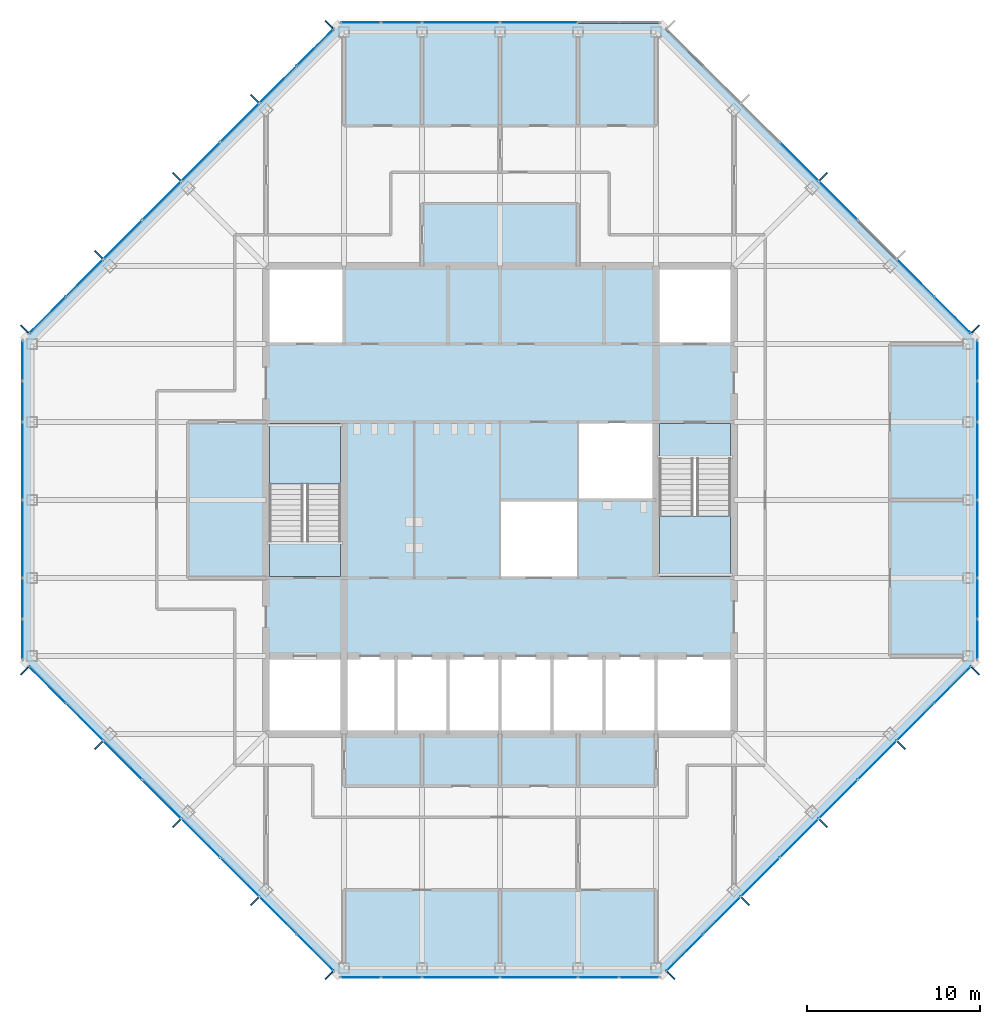
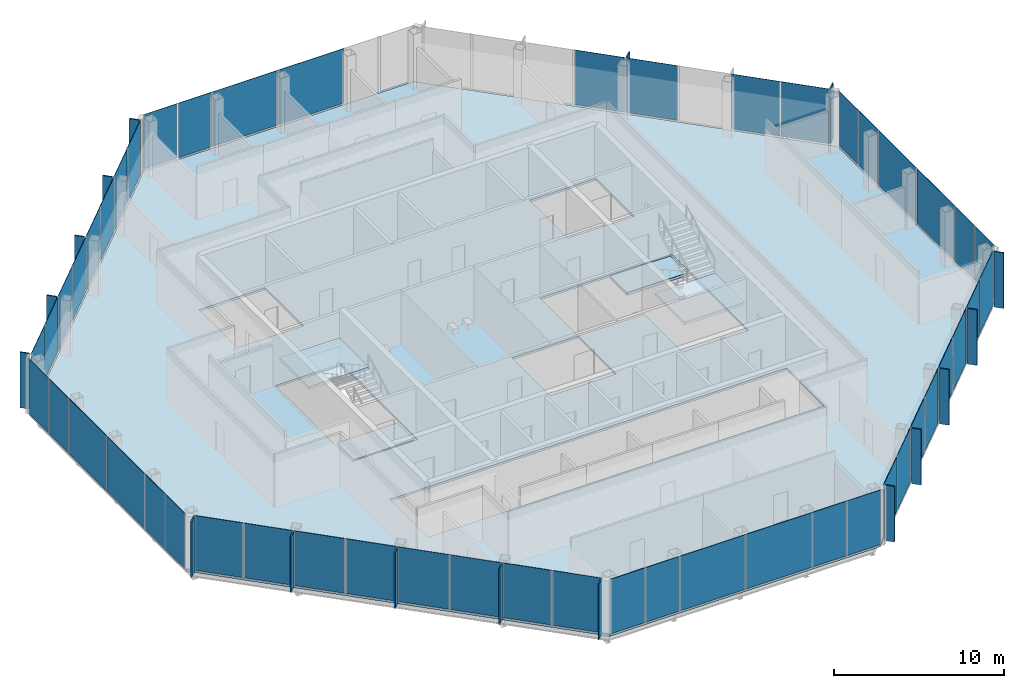
# One storey, part 8 of 14: 67 plates, 5 slabs, 10 elements without a shape of their own.
"""IFC4 building model written with IfcOpenShell, lengths in metres."""

from ifc_helpers import new_model, si_unit, direction, frame, origin, origin_2d, place, context, subcontext, project, spatial, polyline, rectangle, outline, extrude, material, layer, layer_set, type_object, element, aggregate, save


model = new_model("IFC4")

# Units and contexts
model_context = context("Model", 3, precision=1e-05, world=origin(), true_north=direction((0.0, 1.0)))
body_context = subcontext(model_context, "Body", "Model", "MODEL_VIEW")
ifc_project = project(units=[si_unit("LENGTHUNIT", "METRE"), si_unit("AREAUNIT", "SQUARE_METRE"), si_unit("VOLUMEUNIT", "CUBIC_METRE"), si_unit("PLANEANGLEUNIT", "RADIAN"), si_unit("MASSUNIT", "GRAM", prefix="KILO")], contexts=[model_context])

# Site, building, storey
site_placement = place(None, origin())
site = spatial("IfcSite", under=ifc_project, at=site_placement, CompositionType="ELEMENT")
building_placement = place(site_placement, origin())
building = spatial("IfcBuilding", under=site, at=building_placement, Name="Corais Broadcast Tower", CompositionType="ELEMENT")
storey_placement = place(building_placement, frame((0.0, 0.0, 278.60009765625)))
storey = spatial("IfcBuildingStorey", under=building, at=storey_placement, Name="L65", CompositionType="ELEMENT", Elevation=278.60009765625)

# Slab
ifc_material_1 = material(Name="Concrete C30/37", Category="concrete")
ifc_layer_1 = layer(ifc_material_1, 0.159912109375)
ifc_layer_set_1 = layer_set([ifc_layer_1], Name="Concrete C30/37")
slab_type_1 = type_object("IfcSlabType", Name="Composite floor slab 160", PredefinedType="FLOOR", material=ifc_layer_set_1)
slab_1_placement = place(storey_placement, frame((0.0, 0.0, -0.16015625)))
element("IfcSlab", 1, at=slab_1_placement, inside=storey, type_object=slab_type_1, Name="S160 floor slab L65", PredefinedType="FLOOR", context=body_context, shape_type="SweptSolid", body=[
    extrude(outline(polyline([(17.80126953125, -0.47998046875), (-0.47998046875, 17.80126953125), (-0.47998046875, 36.19873046875), (17.80126953125, 54.47998046875), (36.19873046875, 54.47998046875), (54.47998046875, 36.19873046875), (54.47998046875, 17.80126953125), (36.19873046875, -0.47998046875), (17.80126953125, -0.47998046875)]), holes=[polyline([(13.5, 18.0), (40.5, 18.0), (40.5, 13.5), (13.5, 13.5), (13.5, 18.0)]), polyline([(18.0, 22.5), (13.5, 22.5), (13.5, 31.5), (18.0, 31.5), (18.0, 22.5)]), polyline([(18.0, 36.0), (13.5, 36.0), (13.5, 40.5), (18.0, 40.5), (18.0, 36.0)]), polyline([(31.5, 22.5), (27.0, 22.5), (27.0, 27.0), (31.4951171875, 27.0), (31.4951171875, 27.0048828125), (31.5, 27.0048828125), (31.5, 31.5), (40.5, 31.5), (40.5, 22.5), (36.0, 22.5), (36.0, 27.0), (31.5048828125, 27.0), (31.5048828125, 26.9951171875), (31.5, 26.9951171875), (31.5, 22.5)]), polyline([(40.5, 36.0), (36.0, 36.0), (36.0, 40.5), (40.5, 40.5), (40.5, 36.0)])]), origin(), (0.0, 0.0, 1.0), 0.16015625),
])

# Curtain wall, plates
ifc_material_2 = material(Name="Aluminium and glass", Category="aluminium")
curtain_wall_type = type_object("IfcCurtainWallType", Name="Unitised fritted curtain wall CW3", PredefinedType="NOTDEFINED", material=ifc_material_2)
curtain_wall_1_placement = place(storey_placement, origin())
curtain_wall_1 = element("IfcCurtainWall", 2, at=curtain_wall_1_placement, inside=storey, type_object=curtain_wall_type, Name="CW3 curtain wall L65 1", PredefinedType="NOTDEFINED")
ifc_material_3 = material(Name="Ceramic-fritted laminated glass", Category="glass")
ifc_layer_2 = layer(ifc_material_3, 0.02587890625)
ifc_layer_set_2 = layer_set([ifc_layer_2], Name="Ceramic-fritted laminated glass")
plate_type_1 = type_object("IfcPlateType", Name="Fritted glass panel CW3", PredefinedType="CURTAIN_PANEL", material=ifc_layer_set_2)
plate_1_placement = place(storey_placement, frame((16.330322265625, 0.891845703125, 0.06494140625), z_axis=(0.0, 0.0, 1.0), x_axis=(-0.707106781187, 0.707106781187, 0.0)))
plate_1 = element("IfcPlate", 3, at=plate_1_placement, type_object=plate_type_1, Name="CW3 panel 1", PredefinedType="CURTAIN_PANEL", context=body_context, shape_type="SweptSolid", body=[
    extrude(rectangle(XDim=2.9482421875, YDim=0.02587890625, at=origin_2d()), origin(), (0.0, 0.0, 1.0), 3.93505859375),
])
plate_2_placement = place(storey_placement, frame((11.986083984375, 5.236083984375, 0.06494140625), z_axis=(0.0, 0.0, 1.0), x_axis=(-0.707106781187, 0.707106781187, 0.0)))
plate_2 = element("IfcPlate", 4, at=plate_2_placement, type_object=plate_type_1, Name="CW3 panel 3", PredefinedType="CURTAIN_PANEL", context=body_context, shape_type="SweptSolid", body=[
    extrude(rectangle(XDim=3.116943359375, YDim=0.02587890625, at=origin_2d()), origin(), (0.0, 0.0, 1.0), 3.93505859375),
])
plate_3_placement = place(storey_placement, frame((7.486083984375, 9.736083984375, 0.06494140625), z_axis=(0.0, 0.0, 1.0), x_axis=(-0.707106781187, 0.707106781187, 0.0)))
plate_3 = element("IfcPlate", 5, at=plate_3_placement, type_object=plate_type_1, Name="CW3 panel 5", PredefinedType="CURTAIN_PANEL", context=body_context, shape_type="SweptSolid", body=[
    extrude(rectangle(XDim=3.116943359375, YDim=0.02587890625, at=origin_2d()), origin(), (0.0, 0.0, 1.0), 3.93505859375),
])
plate_4_placement = place(storey_placement, frame((3.0341796875, 14.18798828125, 0.06494140625), z_axis=(0.0, 0.0, 1.0), x_axis=(-0.707106781187, 0.707106781187, 0.0)))
plate_4 = element("IfcPlate", 6, at=plate_4_placement, type_object=plate_type_1, Name="CW3 panel 7", PredefinedType="CURTAIN_PANEL", context=body_context, shape_type="SweptSolid", body=[
    extrude(rectangle(XDim=2.98095703125, YDim=0.02587890625, at=origin_2d()), origin(), (0.0, 0.0, 1.0), 3.93505859375),
])

curtain_wall_2_placement = place(storey_placement, origin())
curtain_wall_2 = element("IfcCurtainWall", 7, at=curtain_wall_2_placement, inside=storey, type_object=curtain_wall_type, Name="CW3 curtain wall L65 2", PredefinedType="NOTDEFINED")
plate_5_placement = place(storey_placement, frame((-0.550048828125, 18.970458984375, 0.06494140625), z_axis=(0.0, 0.0, 1.0), x_axis=(0.0, 1.0, 0.0)))
plate_5 = element("IfcPlate", 8, at=plate_5_placement, type_object=plate_type_1, Name="CW3 panel 1", PredefinedType="CURTAIN_PANEL", context=body_context, shape_type="SweptSolid", body=[
    extrude(rectangle(XDim=2.266357421875, YDim=0.02587890625, at=origin_2d()), origin(), (0.0, 0.0, 1.0), 3.93505859375),
])
plate_6_placement = place(storey_placement, frame((-0.550048828125, 24.75, 0.06494140625), z_axis=(0.0, 0.0, 1.0), x_axis=(0.0, 1.0, 0.0)))
plate_6 = element("IfcPlate", 9, at=plate_6_placement, type_object=plate_type_1, Name="CW3 panel 3", PredefinedType="CURTAIN_PANEL", context=body_context, shape_type="SweptSolid", body=[
    extrude(rectangle(XDim=4.43505859375, YDim=0.02587890625, at=origin_2d()), origin(), (0.0, 0.0, 1.0), 3.93505859375),
])
plate_7_placement = place(storey_placement, frame((-0.550048828125, 32.681884765625, 0.06494140625), z_axis=(0.0, 0.0, 1.0), x_axis=(0.0, 1.0, 0.0)))
plate_7 = element("IfcPlate", 10, at=plate_7_placement, type_object=plate_type_1, Name="CW3 panel 5", PredefinedType="CURTAIN_PANEL", context=body_context, shape_type="SweptSolid", body=[
    extrude(rectangle(XDim=2.298828125, YDim=0.02587890625, at=origin_2d()), origin(), (0.0, 0.0, 1.0), 3.93505859375),
])

curtain_wall_3_placement = place(storey_placement, origin())
curtain_wall_3 = element("IfcCurtainWall", 11, at=curtain_wall_3_placement, inside=storey, type_object=curtain_wall_type, Name="CW3 curtain wall L65 3", PredefinedType="NOTDEFINED")
plate_8_placement = place(storey_placement, frame((0.891845703125, 37.669677734375, 0.06494140625), z_axis=(0.0, 0.0, 1.0), x_axis=(0.707106781187, 0.707106781187, 0.0)))
plate_8 = element("IfcPlate", 12, at=plate_8_placement, type_object=plate_type_1, Name="CW3 panel 1", PredefinedType="CURTAIN_PANEL", context=body_context, shape_type="SweptSolid", body=[
    extrude(rectangle(XDim=2.9482421875, YDim=0.02587890625, at=origin_2d()), origin(), (0.0, 0.0, 1.0), 3.93505859375),
])
plate_9_placement = place(storey_placement, frame((5.236083984375, 42.013916015625, 0.06494140625), z_axis=(0.0, 0.0, 1.0), x_axis=(0.707106781187, 0.707106781187, 0.0)))
plate_9 = element("IfcPlate", 13, at=plate_9_placement, type_object=plate_type_1, Name="CW3 panel 3", PredefinedType="CURTAIN_PANEL", context=body_context, shape_type="SweptSolid", body=[
    extrude(rectangle(XDim=3.116943359375, YDim=0.02587890625, at=origin_2d()), origin(), (0.0, 0.0, 1.0), 3.93505859375),
])
plate_10_placement = place(storey_placement, frame((9.736083984375, 46.513916015625, 0.06494140625), z_axis=(0.0, 0.0, 1.0), x_axis=(0.707106781187, 0.707106781187, 0.0)))
plate_10 = element("IfcPlate", 14, at=plate_10_placement, type_object=plate_type_1, Name="CW3 panel 5", PredefinedType="CURTAIN_PANEL", context=body_context, shape_type="SweptSolid", body=[
    extrude(rectangle(XDim=3.116943359375, YDim=0.02587890625, at=origin_2d()), origin(), (0.0, 0.0, 1.0), 3.93505859375),
])
plate_11_placement = place(storey_placement, frame((14.18798828125, 50.9658203125, 0.06494140625), z_axis=(0.0, 0.0, 1.0), x_axis=(0.707106781187, 0.707106781187, 0.0)))
plate_11 = element("IfcPlate", 15, at=plate_11_placement, type_object=plate_type_1, Name="CW3 panel 7", PredefinedType="CURTAIN_PANEL", context=body_context, shape_type="SweptSolid", body=[
    extrude(rectangle(XDim=2.98095703125, YDim=0.02587890625, at=origin_2d()), origin(), (0.0, 0.0, 1.0), 3.93505859375),
])

curtain_wall_4_placement = place(storey_placement, origin())
curtain_wall_4 = element("IfcCurtainWall", 16, at=curtain_wall_4_placement, inside=storey, type_object=curtain_wall_type, Name="CW3 curtain wall L65 4", PredefinedType="NOTDEFINED")
plate_12_placement = place(storey_placement, frame((18.970458984375, 54.550048828125, 0.06494140625), z_axis=(0.0, 0.0, 1.0), x_axis=(1.0, 0.0, 0.0)))
plate_12 = element("IfcPlate", 17, at=plate_12_placement, type_object=plate_type_1, Name="CW3 panel 1", PredefinedType="CURTAIN_PANEL", context=body_context, shape_type="SweptSolid", body=[
    extrude(rectangle(XDim=2.266357421875, YDim=0.02587890625, at=origin_2d()), origin(), (0.0, 0.0, 1.0), 3.93505859375),
])
plate_13_placement = place(storey_placement, frame((24.75, 54.550048828125, 0.06494140625), z_axis=(0.0, 0.0, 1.0), x_axis=(1.0, 0.0, 0.0)))
plate_13 = element("IfcPlate", 18, at=plate_13_placement, type_object=plate_type_1, Name="CW3 panel 3", PredefinedType="CURTAIN_PANEL", context=body_context, shape_type="SweptSolid", body=[
    extrude(rectangle(XDim=4.43505859375, YDim=0.02587890625, at=origin_2d()), origin(), (0.0, 0.0, 1.0), 3.93505859375),
])

curtain_wall_5_placement = place(storey_placement, origin())
curtain_wall_5 = element("IfcCurtainWall", 19, at=curtain_wall_5_placement, inside=storey, type_object=curtain_wall_type, Name="CW3 curtain wall L65 5", PredefinedType="NOTDEFINED")
plate_14_placement = place(storey_placement, frame((46.513916015625, 44.263916015625, 0.06494140625), z_axis=(0.0, 0.0, 1.0), x_axis=(0.707106781187, -0.707106781187, 0.0)))
plate_14 = element("IfcPlate", 20, at=plate_14_placement, type_object=plate_type_1, Name="CW3 panel 5", PredefinedType="CURTAIN_PANEL", context=body_context, shape_type="SweptSolid", body=[
    extrude(rectangle(XDim=3.116943359375, YDim=0.02587890625, at=origin_2d()), origin(), (0.0, 0.0, 1.0), 3.93505859375),
])
plate_15_placement = place(storey_placement, frame((50.9658203125, 39.81201171875, 0.06494140625), z_axis=(0.0, 0.0, 1.0), x_axis=(0.707106781187, -0.707106781187, 0.0)))
plate_15 = element("IfcPlate", 21, at=plate_15_placement, type_object=plate_type_1, Name="CW3 panel 7", PredefinedType="CURTAIN_PANEL", context=body_context, shape_type="SweptSolid", body=[
    extrude(rectangle(XDim=2.98095703125, YDim=0.02587890625, at=origin_2d()), origin(), (0.0, 0.0, 1.0), 3.93505859375),
])

curtain_wall_6_placement = place(storey_placement, origin())
curtain_wall_6 = element("IfcCurtainWall", 22, at=curtain_wall_6_placement, inside=storey, type_object=curtain_wall_type, Name="CW3 curtain wall L65 6", PredefinedType="NOTDEFINED")
plate_16_placement = place(storey_placement, frame((54.550048828125, 35.029541015625, 0.06494140625), z_axis=(0.0, 0.0, 1.0), x_axis=(0.0, -1.0, 0.0)))
plate_16 = element("IfcPlate", 23, at=plate_16_placement, type_object=plate_type_1, Name="CW3 panel 1", PredefinedType="CURTAIN_PANEL", context=body_context, shape_type="SweptSolid", body=[
    extrude(rectangle(XDim=2.266357421875, YDim=0.02587890625, at=origin_2d()), origin(), (0.0, 0.0, 1.0), 3.93505859375),
])
plate_17_placement = place(storey_placement, frame((54.550048828125, 29.25, 0.06494140625), z_axis=(0.0, 0.0, 1.0), x_axis=(0.0, -1.0, 0.0)))
plate_17 = element("IfcPlate", 24, at=plate_17_placement, type_object=plate_type_1, Name="CW3 panel 3", PredefinedType="CURTAIN_PANEL", context=body_context, shape_type="SweptSolid", body=[
    extrude(rectangle(XDim=4.43505859375, YDim=0.02587890625, at=origin_2d()), origin(), (0.0, 0.0, 1.0), 3.93505859375),
])
plate_18_placement = place(storey_placement, frame((54.550048828125, 21.318115234375, 0.06494140625), z_axis=(0.0, 0.0, 1.0), x_axis=(0.0, -1.0, 0.0)))
plate_18 = element("IfcPlate", 25, at=plate_18_placement, type_object=plate_type_1, Name="CW3 panel 5", PredefinedType="CURTAIN_PANEL", context=body_context, shape_type="SweptSolid", body=[
    extrude(rectangle(XDim=2.298828125, YDim=0.02587890625, at=origin_2d()), origin(), (0.0, 0.0, 1.0), 3.93505859375),
])

curtain_wall_7_placement = place(storey_placement, origin())
curtain_wall_7 = element("IfcCurtainWall", 26, at=curtain_wall_7_placement, inside=storey, type_object=curtain_wall_type, Name="CW3 curtain wall L65 7", PredefinedType="NOTDEFINED")
plate_19_placement = place(storey_placement, frame((53.108154296875, 16.330322265625, 0.06494140625), z_axis=(0.0, 0.0, 1.0), x_axis=(-0.707106781187, -0.707106781187, 0.0)))
plate_19 = element("IfcPlate", 27, at=plate_19_placement, type_object=plate_type_1, Name="CW3 panel 1", PredefinedType="CURTAIN_PANEL", context=body_context, shape_type="SweptSolid", body=[
    extrude(rectangle(XDim=2.9482421875, YDim=0.02587890625, at=origin_2d()), origin(), (0.0, 0.0, 1.0), 3.93505859375),
])
plate_20_placement = place(storey_placement, frame((48.763916015625, 11.986083984375, 0.06494140625), z_axis=(0.0, 0.0, 1.0), x_axis=(-0.707106781187, -0.707106781187, 0.0)))
plate_20 = element("IfcPlate", 28, at=plate_20_placement, type_object=plate_type_1, Name="CW3 panel 3", PredefinedType="CURTAIN_PANEL", context=body_context, shape_type="SweptSolid", body=[
    extrude(rectangle(XDim=3.116943359375, YDim=0.02587890625, at=origin_2d()), origin(), (0.0, 0.0, 1.0), 3.93505859375),
])
plate_21_placement = place(storey_placement, frame((44.263916015625, 7.486083984375, 0.06494140625), z_axis=(0.0, 0.0, 1.0), x_axis=(-0.707106781187, -0.707106781187, 0.0)))
plate_21 = element("IfcPlate", 29, at=plate_21_placement, type_object=plate_type_1, Name="CW3 panel 5", PredefinedType="CURTAIN_PANEL", context=body_context, shape_type="SweptSolid", body=[
    extrude(rectangle(XDim=3.116943359375, YDim=0.02587890625, at=origin_2d()), origin(), (0.0, 0.0, 1.0), 3.93505859375),
])
plate_22_placement = place(storey_placement, frame((39.81201171875, 3.0341796875, 0.06494140625), z_axis=(0.0, 0.0, 1.0), x_axis=(-0.707106781187, -0.707106781187, 0.0)))
plate_22 = element("IfcPlate", 30, at=plate_22_placement, type_object=plate_type_1, Name="CW3 panel 7", PredefinedType="CURTAIN_PANEL", context=body_context, shape_type="SweptSolid", body=[
    extrude(rectangle(XDim=2.98095703125, YDim=0.02587890625, at=origin_2d()), origin(), (0.0, 0.0, 1.0), 3.93505859375),
])

curtain_wall_8_placement = place(storey_placement, origin())
curtain_wall_8 = element("IfcCurtainWall", 31, at=curtain_wall_8_placement, inside=storey, type_object=curtain_wall_type, Name="CW3 curtain wall L65 8", PredefinedType="NOTDEFINED")
plate_23_placement = place(storey_placement, frame((35.029541015625, -0.550048828125, 0.06494140625), z_axis=(0.0, 0.0, 1.0), x_axis=(-1.0, 0.0, 0.0)))
plate_23 = element("IfcPlate", 32, at=plate_23_placement, type_object=plate_type_1, Name="CW3 panel 1", PredefinedType="CURTAIN_PANEL", context=body_context, shape_type="SweptSolid", body=[
    extrude(rectangle(XDim=2.266357421875, YDim=0.02587890625, at=origin_2d()), origin(), (0.0, 0.0, 1.0), 3.93505859375),
])
plate_24_placement = place(storey_placement, frame((29.25, -0.550048828125, 0.06494140625), z_axis=(0.0, 0.0, 1.0), x_axis=(-1.0, 0.0, 0.0)))
plate_24 = element("IfcPlate", 33, at=plate_24_placement, type_object=plate_type_1, Name="CW3 panel 3", PredefinedType="CURTAIN_PANEL", context=body_context, shape_type="SweptSolid", body=[
    extrude(rectangle(XDim=4.43505859375, YDim=0.02587890625, at=origin_2d()), origin(), (0.0, 0.0, 1.0), 3.93505859375),
])
plate_25_placement = place(storey_placement, frame((21.318115234375, -0.550048828125, 0.06494140625), z_axis=(0.0, 0.0, 1.0), x_axis=(-1.0, 0.0, 0.0)))
plate_25 = element("IfcPlate", 34, at=plate_25_placement, type_object=plate_type_1, Name="CW3 panel 5", PredefinedType="CURTAIN_PANEL", context=body_context, shape_type="SweptSolid", body=[
    extrude(rectangle(XDim=2.298828125, YDim=0.02587890625, at=origin_2d()), origin(), (0.0, 0.0, 1.0), 3.93505859375),
])

# Plate
ifc_material_4 = material(Name="Clear laminated glass", Category="glass")
ifc_layer_3 = layer(ifc_material_4, 0.030029296875)
ifc_layer_set_3 = layer_set([ifc_layer_3], Name="Clear laminated glass")
plate_type_2 = type_object("IfcPlateType", Name="Operable glass panel CW3", PredefinedType="CURTAIN_PANEL", material=ifc_layer_set_3)
plate_26_placement = place(storey_placement, frame((14.18798828125, 3.0341796875, 0.06494140625), z_axis=(0.0, 0.0, 1.0), x_axis=(-0.707106781187, 0.707106781187, 0.0)))
plate_26 = element("IfcPlate", 35, at=plate_26_placement, type_object=plate_type_2, Name="CW3 operable panel 2", PredefinedType="CURTAIN_PANEL", context=body_context, shape_type="SweptSolid", body=[
    extrude(rectangle(XDim=2.98095703125, YDim=0.030029296875, at=origin_2d()), origin(), (0.0, 0.0, 1.0), 3.93505859375),
])

plate_27_placement = place(storey_placement, frame((9.736083984375, 7.486083984375, 0.06494140625), z_axis=(0.0, 0.0, 1.0), x_axis=(-0.707106781187, 0.707106781187, 0.0)))
plate_27 = element("IfcPlate", 36, at=plate_27_placement, type_object=plate_type_2, Name="CW3 operable panel 4", PredefinedType="CURTAIN_PANEL", context=body_context, shape_type="SweptSolid", body=[
    extrude(rectangle(XDim=3.116943359375, YDim=0.030029296875, at=origin_2d()), origin(), (0.0, 0.0, 1.0), 3.93505859375),
])

plate_28_placement = place(storey_placement, frame((5.236083984375, 11.986083984375, 0.06494140625), z_axis=(0.0, 0.0, 1.0), x_axis=(-0.707106781187, 0.707106781187, 0.0)))
plate_28 = element("IfcPlate", 37, at=plate_28_placement, type_object=plate_type_2, Name="CW3 operable panel 6", PredefinedType="CURTAIN_PANEL", context=body_context, shape_type="SweptSolid", body=[
    extrude(rectangle(XDim=3.116943359375, YDim=0.030029296875, at=origin_2d()), origin(), (0.0, 0.0, 1.0), 3.93505859375),
])

plate_29_placement = place(storey_placement, frame((0.89208984375, 16.330322265625, 0.06494140625), z_axis=(0.0, 0.0, 1.0), x_axis=(-0.707106781187, 0.707106781187, 0.0)))
plate_29 = element("IfcPlate", 38, at=plate_29_placement, type_object=plate_type_2, Name="CW3 operable panel 8", PredefinedType="CURTAIN_PANEL", context=body_context, shape_type="SweptSolid", body=[
    extrude(rectangle(XDim=2.948486328125, YDim=0.030029296875, at=origin_2d()), origin(), (0.0, 0.0, 1.0), 3.93505859375),
])

aggregate(curtain_wall_1, [plate_1, plate_26, plate_2, plate_27, plate_3, plate_28, plate_4, plate_29])

plate_30_placement = place(storey_placement, frame((-0.550048828125, 21.318115234375, 0.06494140625), z_axis=(0.0, 0.0, 1.0), x_axis=(0.0, 1.0, 0.0)))
plate_30 = element("IfcPlate", 39, at=plate_30_placement, type_object=plate_type_2, Name="CW3 operable panel 2", PredefinedType="CURTAIN_PANEL", context=body_context, shape_type="SweptSolid", body=[
    extrude(rectangle(XDim=2.298828125, YDim=0.030029296875, at=origin_2d()), origin(), (0.0, 0.0, 1.0), 3.93505859375),
])

plate_31_placement = place(storey_placement, frame((-0.550048828125, 29.25, 0.06494140625), z_axis=(0.0, 0.0, 1.0), x_axis=(0.0, 1.0, 0.0)))
plate_31 = element("IfcPlate", 40, at=plate_31_placement, type_object=plate_type_2, Name="CW3 operable panel 4", PredefinedType="CURTAIN_PANEL", context=body_context, shape_type="SweptSolid", body=[
    extrude(rectangle(XDim=4.43505859375, YDim=0.030029296875, at=origin_2d()), origin(), (0.0, 0.0, 1.0), 3.93505859375),
])

plate_32_placement = place(storey_placement, frame((-0.550048828125, 35.029541015625, 0.06494140625), z_axis=(0.0, 0.0, 1.0), x_axis=(0.0, 1.0, 0.0)))
plate_32 = element("IfcPlate", 41, at=plate_32_placement, type_object=plate_type_2, Name="CW3 operable panel 6", PredefinedType="CURTAIN_PANEL", context=body_context, shape_type="SweptSolid", body=[
    extrude(rectangle(XDim=2.266357421875, YDim=0.030029296875, at=origin_2d()), origin(), (0.0, 0.0, 1.0), 3.93505859375),
])

aggregate(curtain_wall_2, [plate_5, plate_30, plate_6, plate_31, plate_7, plate_32])

plate_33_placement = place(storey_placement, frame((3.0341796875, 39.81201171875, 0.06494140625), z_axis=(0.0, 0.0, 1.0), x_axis=(0.707106781187, 0.707106781187, 0.0)))
plate_33 = element("IfcPlate", 42, at=plate_33_placement, type_object=plate_type_2, Name="CW3 operable panel 2", PredefinedType="CURTAIN_PANEL", context=body_context, shape_type="SweptSolid", body=[
    extrude(rectangle(XDim=2.98095703125, YDim=0.030029296875, at=origin_2d()), origin(), (0.0, 0.0, 1.0), 3.93505859375),
])

plate_34_placement = place(storey_placement, frame((7.486083984375, 44.263916015625, 0.06494140625), z_axis=(0.0, 0.0, 1.0), x_axis=(0.707106781187, 0.707106781187, 0.0)))
plate_34 = element("IfcPlate", 43, at=plate_34_placement, type_object=plate_type_2, Name="CW3 operable panel 4", PredefinedType="CURTAIN_PANEL", context=body_context, shape_type="SweptSolid", body=[
    extrude(rectangle(XDim=3.116943359375, YDim=0.030029296875, at=origin_2d()), origin(), (0.0, 0.0, 1.0), 3.93505859375),
])

plate_35_placement = place(storey_placement, frame((11.986083984375, 48.763916015625, 0.06494140625), z_axis=(0.0, 0.0, 1.0), x_axis=(0.707106781187, 0.707106781187, 0.0)))
plate_35 = element("IfcPlate", 44, at=plate_35_placement, type_object=plate_type_2, Name="CW3 operable panel 6", PredefinedType="CURTAIN_PANEL", context=body_context, shape_type="SweptSolid", body=[
    extrude(rectangle(XDim=3.116943359375, YDim=0.030029296875, at=origin_2d()), origin(), (0.0, 0.0, 1.0), 3.93505859375),
])

plate_36_placement = place(storey_placement, frame((16.330322265625, 53.10791015625, 0.06494140625), z_axis=(0.0, 0.0, 1.0), x_axis=(0.707106781187, 0.707106781187, 0.0)))
plate_36 = element("IfcPlate", 45, at=plate_36_placement, type_object=plate_type_2, Name="CW3 operable panel 8", PredefinedType="CURTAIN_PANEL", context=body_context, shape_type="SweptSolid", body=[
    extrude(rectangle(XDim=2.948486328125, YDim=0.030029296875, at=origin_2d()), origin(), (0.0, 0.0, 1.0), 3.93505859375),
])

aggregate(curtain_wall_3, [plate_8, plate_33, plate_9, plate_34, plate_10, plate_35, plate_11, plate_36])

plate_37_placement = place(storey_placement, frame((21.318115234375, 54.550048828125, 0.06494140625), z_axis=(0.0, 0.0, 1.0), x_axis=(1.0, 0.0, 0.0)))
plate_37 = element("IfcPlate", 46, at=plate_37_placement, type_object=plate_type_2, Name="CW3 operable panel 2", PredefinedType="CURTAIN_PANEL", context=body_context, shape_type="SweptSolid", body=[
    extrude(rectangle(XDim=2.298828125, YDim=0.030029296875, at=origin_2d()), origin(), (0.0, 0.0, 1.0), 3.93505859375),
])

plate_38_placement = place(storey_placement, frame((29.25, 54.550048828125, 0.06494140625), z_axis=(0.0, 0.0, 1.0), x_axis=(1.0, 0.0, 0.0)))
plate_38 = element("IfcPlate", 47, at=plate_38_placement, type_object=plate_type_2, Name="CW3 operable panel 4", PredefinedType="CURTAIN_PANEL", context=body_context, shape_type="SweptSolid", body=[
    extrude(rectangle(XDim=4.43505859375, YDim=0.030029296875, at=origin_2d()), origin(), (0.0, 0.0, 1.0), 3.93505859375),
])

aggregate(curtain_wall_4, [plate_12, plate_37, plate_13, plate_38])

plate_39_placement = place(storey_placement, frame((44.263916015625, 46.513916015625, 0.06494140625), z_axis=(0.0, 0.0, 1.0), x_axis=(0.707106781187, -0.707106781187, 0.0)))
plate_39 = element("IfcPlate", 48, at=plate_39_placement, type_object=plate_type_2, Name="CW3 operable panel 4", PredefinedType="CURTAIN_PANEL", context=body_context, shape_type="SweptSolid", body=[
    extrude(rectangle(XDim=3.116943359375, YDim=0.030029296875, at=origin_2d()), origin(), (0.0, 0.0, 1.0), 3.93505859375),
])

plate_40_placement = place(storey_placement, frame((53.10791015625, 37.669677734375, 0.06494140625), z_axis=(0.0, 0.0, 1.0), x_axis=(0.707106781187, -0.707106781187, 0.0)))
plate_40 = element("IfcPlate", 49, at=plate_40_placement, type_object=plate_type_2, Name="CW3 operable panel 8", PredefinedType="CURTAIN_PANEL", context=body_context, shape_type="SweptSolid", body=[
    extrude(rectangle(XDim=2.948486328125, YDim=0.030029296875, at=origin_2d()), origin(), (0.0, 0.0, 1.0), 3.93505859375),
])

aggregate(curtain_wall_5, [plate_39, plate_14, plate_15, plate_40])

plate_41_placement = place(storey_placement, frame((54.550048828125, 32.681884765625, 0.06494140625), z_axis=(0.0, 0.0, 1.0), x_axis=(0.0, -1.0, 0.0)))
plate_41 = element("IfcPlate", 50, at=plate_41_placement, type_object=plate_type_2, Name="CW3 operable panel 2", PredefinedType="CURTAIN_PANEL", context=body_context, shape_type="SweptSolid", body=[
    extrude(rectangle(XDim=2.298828125, YDim=0.030029296875, at=origin_2d()), origin(), (0.0, 0.0, 1.0), 3.93505859375),
])

plate_42_placement = place(storey_placement, frame((54.550048828125, 24.75, 0.06494140625), z_axis=(0.0, 0.0, 1.0), x_axis=(0.0, -1.0, 0.0)))
plate_42 = element("IfcPlate", 51, at=plate_42_placement, type_object=plate_type_2, Name="CW3 operable panel 4", PredefinedType="CURTAIN_PANEL", context=body_context, shape_type="SweptSolid", body=[
    extrude(rectangle(XDim=4.43505859375, YDim=0.030029296875, at=origin_2d()), origin(), (0.0, 0.0, 1.0), 3.93505859375),
])

plate_43_placement = place(storey_placement, frame((54.550048828125, 18.970458984375, 0.06494140625), z_axis=(0.0, 0.0, 1.0), x_axis=(0.0, -1.0, 0.0)))
plate_43 = element("IfcPlate", 52, at=plate_43_placement, type_object=plate_type_2, Name="CW3 operable panel 6", PredefinedType="CURTAIN_PANEL", context=body_context, shape_type="SweptSolid", body=[
    extrude(rectangle(XDim=2.266357421875, YDim=0.030029296875, at=origin_2d()), origin(), (0.0, 0.0, 1.0), 3.93505859375),
])

aggregate(curtain_wall_6, [plate_16, plate_41, plate_17, plate_42, plate_18, plate_43])

plate_44_placement = place(storey_placement, frame((50.9658203125, 14.18798828125, 0.06494140625), z_axis=(0.0, 0.0, 1.0), x_axis=(-0.707106781187, -0.707106781187, 0.0)))
plate_44 = element("IfcPlate", 53, at=plate_44_placement, type_object=plate_type_2, Name="CW3 operable panel 2", PredefinedType="CURTAIN_PANEL", context=body_context, shape_type="SweptSolid", body=[
    extrude(rectangle(XDim=2.98095703125, YDim=0.030029296875, at=origin_2d()), origin(), (0.0, 0.0, 1.0), 3.93505859375),
])

plate_45_placement = place(storey_placement, frame((46.513916015625, 9.736083984375, 0.06494140625), z_axis=(0.0, 0.0, 1.0), x_axis=(-0.707106781187, -0.707106781187, 0.0)))
plate_45 = element("IfcPlate", 54, at=plate_45_placement, type_object=plate_type_2, Name="CW3 operable panel 4", PredefinedType="CURTAIN_PANEL", context=body_context, shape_type="SweptSolid", body=[
    extrude(rectangle(XDim=3.116943359375, YDim=0.030029296875, at=origin_2d()), origin(), (0.0, 0.0, 1.0), 3.93505859375),
])

plate_46_placement = place(storey_placement, frame((42.013916015625, 5.236083984375, 0.06494140625), z_axis=(0.0, 0.0, 1.0), x_axis=(-0.707106781187, -0.707106781187, 0.0)))
plate_46 = element("IfcPlate", 55, at=plate_46_placement, type_object=plate_type_2, Name="CW3 operable panel 6", PredefinedType="CURTAIN_PANEL", context=body_context, shape_type="SweptSolid", body=[
    extrude(rectangle(XDim=3.116943359375, YDim=0.030029296875, at=origin_2d()), origin(), (0.0, 0.0, 1.0), 3.93505859375),
])

plate_47_placement = place(storey_placement, frame((37.669677734375, 0.89208984375, 0.06494140625), z_axis=(0.0, 0.0, 1.0), x_axis=(-0.707106781187, -0.707106781187, 0.0)))
plate_47 = element("IfcPlate", 56, at=plate_47_placement, type_object=plate_type_2, Name="CW3 operable panel 8", PredefinedType="CURTAIN_PANEL", context=body_context, shape_type="SweptSolid", body=[
    extrude(rectangle(XDim=2.948486328125, YDim=0.030029296875, at=origin_2d()), origin(), (0.0, 0.0, 1.0), 3.93505859375),
])

aggregate(curtain_wall_7, [plate_19, plate_44, plate_20, plate_45, plate_21, plate_46, plate_22, plate_47])

plate_48_placement = place(storey_placement, frame((32.681884765625, -0.550048828125, 0.06494140625), z_axis=(0.0, 0.0, 1.0), x_axis=(-1.0, 0.0, 0.0)))
plate_48 = element("IfcPlate", 57, at=plate_48_placement, type_object=plate_type_2, Name="CW3 operable panel 2", PredefinedType="CURTAIN_PANEL", context=body_context, shape_type="SweptSolid", body=[
    extrude(rectangle(XDim=2.298828125, YDim=0.030029296875, at=origin_2d()), origin(), (0.0, 0.0, 1.0), 3.93505859375),
])

plate_49_placement = place(storey_placement, frame((24.75, -0.550048828125, 0.06494140625), z_axis=(0.0, 0.0, 1.0), x_axis=(-1.0, 0.0, 0.0)))
plate_49 = element("IfcPlate", 58, at=plate_49_placement, type_object=plate_type_2, Name="CW3 operable panel 4", PredefinedType="CURTAIN_PANEL", context=body_context, shape_type="SweptSolid", body=[
    extrude(rectangle(XDim=4.43505859375, YDim=0.030029296875, at=origin_2d()), origin(), (0.0, 0.0, 1.0), 3.93505859375),
])

plate_50_placement = place(storey_placement, frame((18.970458984375, -0.550048828125, 0.06494140625), z_axis=(0.0, 0.0, 1.0), x_axis=(-1.0, 0.0, 0.0)))
plate_50 = element("IfcPlate", 59, at=plate_50_placement, type_object=plate_type_2, Name="CW3 operable panel 6", PredefinedType="CURTAIN_PANEL", context=body_context, shape_type="SweptSolid", body=[
    extrude(rectangle(XDim=2.266357421875, YDim=0.030029296875, at=origin_2d()), origin(), (0.0, 0.0, 1.0), 3.93505859375),
])

aggregate(curtain_wall_8, [plate_23, plate_48, plate_24, plate_49, plate_25, plate_50])

# Stair, slabs
ifc_material_5 = material(Name="Concrete C30/37", Category="concrete")
stair_type = type_object("IfcStairType", Name="Half-turn stair 4000", PredefinedType="HALF_TURN_STAIR", material=ifc_material_5)
stair_1_placement = place(storey_placement, origin())
stair_1 = element("IfcStair", 60, at=stair_1_placement, inside=storey, type_object=stair_type, Name="Stair A L65", PredefinedType="HALF_TURN_STAIR")
ifc_material_6 = material(Name="Concrete C30/37", Category="concrete")
ifc_layer_4 = layer(ifc_material_6, 0.199951171875)
ifc_layer_set_4 = layer_set([ifc_layer_4], Name="Concrete C30/37")
slab_type_2 = type_object("IfcSlabType", Name="Stair landing 200", PredefinedType="LANDING", material=ifc_layer_set_4)
slab_2_placement = place(storey_placement, frame((0.0, 0.0, -0.2001953125)))
slab_2 = element("IfcSlab", 61, at=slab_2_placement, type_object=slab_type_2, Name="STA landing 1", PredefinedType="LANDING", context=body_context, shape_type="SweptSolid", body=[
    extrude(outline(polyline([(13.699951171875, 22.60009765625), (17.800048828125, 22.60009765625), (17.800048828125, 24.60009765625), (13.699951171875, 24.60009765625), (13.699951171875, 22.60009765625)])), origin(), (0.0, 0.0, 1.0), 0.2001953125),
])
slab_3_placement = place(storey_placement, frame((0.0, 0.0, 1.7998046875)))
slab_3 = element("IfcSlab", 62, at=slab_3_placement, type_object=slab_type_2, Name="STA landing 2", PredefinedType="LANDING", context=body_context, shape_type="SweptSolid", body=[
    extrude(outline(polyline([(13.699951171875, 27.922119140625), (17.800048828125, 27.922119140625), (17.800048828125, 31.39990234375), (13.699951171875, 31.39990234375), (13.699951171875, 27.922119140625)])), origin(), (0.0, 0.0, 1.0), 0.2001953125),
])
aggregate(stair_1, [slab_2, slab_3])

stair_2_placement = place(storey_placement, origin())
stair_2 = element("IfcStair", 63, at=stair_2_placement, inside=storey, type_object=stair_type, Name="Stair B L65", PredefinedType="HALF_TURN_STAIR")
slab_4_placement = place(storey_placement, frame((0.0, 0.0, -0.2001953125)))
slab_4 = element("IfcSlab", 64, at=slab_4_placement, type_object=slab_type_2, Name="STB landing 1", PredefinedType="LANDING", context=body_context, shape_type="SweptSolid", body=[
    extrude(outline(polyline([(36.199951171875, 29.39990234375), (40.300048828125, 29.39990234375), (40.300048828125, 31.39990234375), (36.199951171875, 31.39990234375), (36.199951171875, 29.39990234375)])), origin(), (0.0, 0.0, 1.0), 0.2001953125),
])
slab_5_placement = place(storey_placement, frame((0.0, 0.0, 1.7998046875)))
slab_5 = element("IfcSlab", 65, at=slab_5_placement, type_object=slab_type_2, Name="STB landing 2", PredefinedType="LANDING", context=body_context, shape_type="SweptSolid", body=[
    extrude(outline(polyline([(36.199951171875, 22.60009765625), (40.300048828125, 22.60009765625), (40.300048828125, 26.077880859375), (36.199951171875, 26.077880859375), (36.199951171875, 22.60009765625)])), origin(), (0.0, 0.0, 1.0), 0.2001953125),
])
aggregate(stair_2, [slab_4, slab_5])

# Plates
ifc_material_7 = material(Name="Granite stone cladding", Category="masonry")
ifc_layer_5 = layer(ifc_material_7, 0.080078125)
ifc_layer_set_5 = layer_set([ifc_layer_5], Name="Granite stone cladding")
plate_type_3 = type_object("IfcPlateType", Name="Stone screen fin 80x600", PredefinedType="USERDEFINED", material=ifc_layer_set_5)
for number, where, z_axis, x_axis, name in (
    (66, (17.129150390625, -0.43994140625, 0.0), (0.0, 0.0, 1.0), (-0.707106781187, 0.707106781187, 0.0), "SF1 stone screen fin L65"),
    (67, (12.844482421875, 3.844482421875, 0.0), (0.0, 0.0, 1.0), (-0.707106781187, 0.707106781187, 0.0), "SF1 stone screen fin L65"),
    (68, (8.344482421875, 8.344482421875, 0.0), (0.0, 0.0, 1.0), (-0.707106781187, 0.707106781187, 0.0), "SF1 stone screen fin L65"),
    (69, (3.844482421875, 12.844482421875, 0.0), (0.0, 0.0, 1.0), (-0.707106781187, 0.707106781187, 0.0), "SF1 stone screen fin L65"),
    (70, (-0.43994140625, 17.129150390625, 0.0), (0.0, 0.0, 1.0), (-0.707106781187, 0.707106781187, 0.0), "SF1 stone screen fin L65"),
    (71, (-0.43994140625, 36.870849609375, 0.0), (0.0, 0.0, 1.0), (0.707106781187, 0.707106781187, 0.0), "SF1 stone screen fin L65"),
    (72, (3.844482421875, 41.155517578125, 0.0), (0.0, 0.0, 1.0), (0.707106781187, 0.707106781187, 0.0), "SF1 stone screen fin L65"),
    (73, (8.344482421875, 45.655517578125, 0.0), (0.0, 0.0, 1.0), (0.707106781187, 0.707106781187, 0.0), "SF1 stone screen fin L65"),
    (74, (12.844482421875, 50.155517578125, 0.0), (0.0, 0.0, 1.0), (0.707106781187, 0.707106781187, 0.0), "SF1 stone screen fin L65"),
    (75, (17.129150390625, 54.43994140625, 0.0), (0.0, 0.0, 1.0), (0.707106781187, 0.707106781187, 0.0), "SF1 stone screen fin L65"),
    (76, (45.655517578125, 45.655517578125, 0.0), (0.0, 0.0, 1.0), (0.707106781187, -0.707106781187, 0.0), "SF1 stone screen fin L65"),
    (77, (54.43994140625, 36.870849609375, 0.0), (0.0, 0.0, 1.0), (0.707106781187, -0.707106781187, 0.0), "SF1 stone screen fin L65"),
    (78, (54.43994140625, 17.129150390625, 0.0), (0.0, 0.0, 1.0), (-0.707106781187, -0.707106781187, 0.0), "SF1 stone screen fin L65"),
    (79, (50.155517578125, 12.844482421875, 0.0), (0.0, 0.0, 1.0), (-0.707106781187, -0.707106781187, 0.0), "SF1 stone screen fin L65"),
    (80, (45.655517578125, 8.344482421875, 0.0), (0.0, 0.0, 1.0), (-0.707106781187, -0.707106781187, 0.0), "SF1 stone screen fin L65"),
    (81, (41.155517578125, 3.844482421875, 0.0), (0.0, 0.0, 1.0), (-0.707106781187, -0.707106781187, 0.0), "SF1 stone screen fin L65"),
    (82, (36.870849609375, -0.43994140625, 0.0), (0.0, 0.0, 1.0), (-0.707106781187, -0.707106781187, 0.0), "SF1 stone screen fin L65"),
):
    element("IfcPlate", number, at=place(storey_placement, frame(where, z_axis=z_axis, x_axis=x_axis)), inside=storey, type_object=plate_type_3, Name=name, ObjectType="STONE SCREEN FIN", PredefinedType="USERDEFINED", context=body_context, shape_type="SweptSolid", body=[
        extrude(rectangle(XDim=0.080078125, YDim=0.60009765625, at=origin_2d()), origin(), (0.0, 0.0, 1.0), 4.0),
    ])

save(model, "model.ifc")
